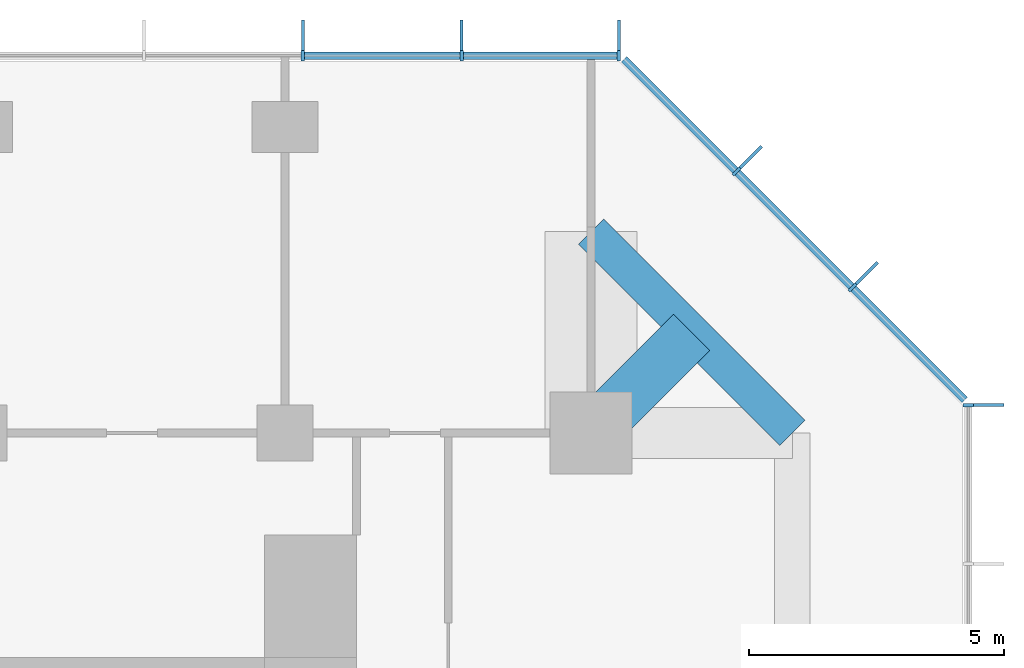
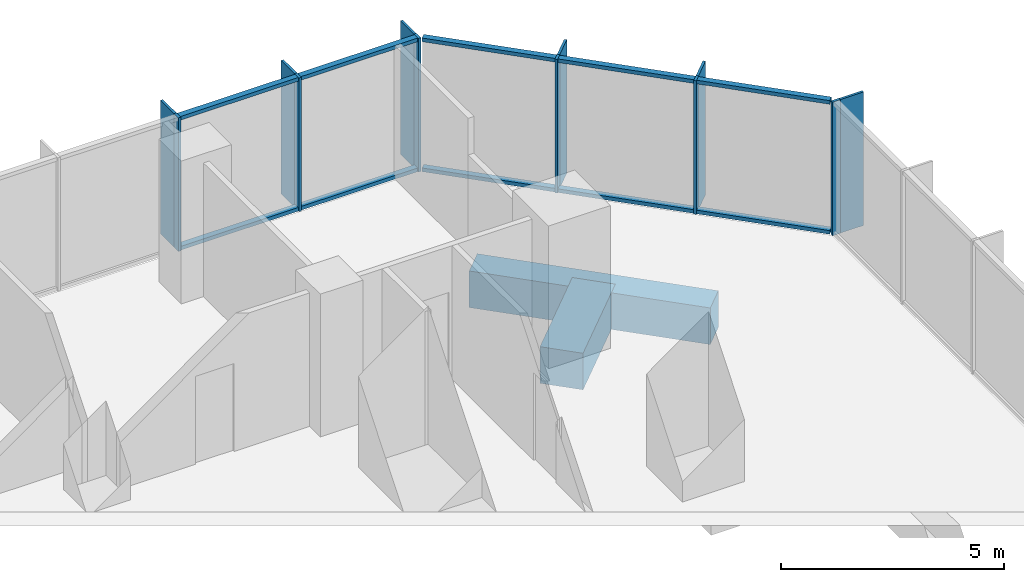
# One storey, part 6 of 10: 22 members, 2 beams, 3 elements without a shape of their own.
"""IFC4 building model written with IfcOpenShell, lengths in metres."""

from ifc_helpers import new_model, si_unit, direction, frame, origin, origin_2d, place, context, subcontext, project, spatial, rectangle, extrude, material, layer, layer_set, material_profile, profile_set, type_object, element, aggregate, save


model = new_model("IFC4")

# Units and contexts
model_context = context("Model", 3, precision=1e-05, world=origin(), true_north=direction((0.0, 1.0)))
body_context = subcontext(model_context, "Body", "Model", "MODEL_VIEW")
ifc_project = project(units=[si_unit("LENGTHUNIT", "METRE"), si_unit("AREAUNIT", "SQUARE_METRE"), si_unit("VOLUMEUNIT", "CUBIC_METRE"), si_unit("PLANEANGLEUNIT", "RADIAN"), si_unit("MASSUNIT", "GRAM", prefix="KILO")], contexts=[model_context])

# Site, building, storey
site_placement = place(None, origin())
site = spatial("IfcSite", under=ifc_project, at=site_placement, CompositionType="ELEMENT")
building_placement = place(site_placement, origin())
building = spatial("IfcBuilding", under=site, at=building_placement, Name="Highveld Stack Headquarters", CompositionType="ELEMENT")
storey_placement = place(building_placement, frame((0.0, 0.0, 245.0)))
storey = spatial("IfcBuildingStorey", under=building, at=storey_placement, Name="L60", CompositionType="ELEMENT", Elevation=245.0)

# Beam
ifc_material_1 = material(Name="Concrete C60/75", Category="concrete")
ifc_material_profile_1 = material_profile(ifc_material_1, rectangle(XDim=1.0, YDim=1.0, at=origin_2d()), Name="RC 1000x1000")
ifc_profile_set_1 = profile_set([ifc_material_profile_1], Name="Concrete C60/75")
beam_type_1 = type_object("IfcBeamType", Name="CANTILEVER RIB RC 1000x1000", PredefinedType="USERDEFINED", material=ifc_profile_set_1)
beam_1_placement = place(storey_placement, frame((24.0, 18.0, -0.75), z_axis=(0.707106781187, 0.707106781187, 0.0), x_axis=(-0.707106781187, 0.707106781187, 0.0)))
element("IfcBeam", 1, at=beam_1_placement, inside=storey, type_object=beam_type_1, Name="Cantilever rib 10/H L60", ObjectType="CANTILEVER RIB", PredefinedType="USERDEFINED", context=body_context, shape_type="SweptSolid", body=[
    extrude(rectangle(XDim=1.0, YDim=1.0, at=origin_2d()), origin(), (0.0, 0.0, 1.0), 2.793212890625),
])

# Curtain wall, member
ifc_material_2 = material(Name="Aluminium bronze anodised", Category="aluminium")
ifc_layer = layer(ifc_material_2, 0.199951171875)
ifc_layer_set = layer_set([ifc_layer], Name="Aluminium bronze anodised")
curtain_wall_type = type_object("IfcCurtainWallType", Name="CW6 SKY LOBBY UNITISED CURTAIN WALL", PredefinedType="NOTDEFINED", material=ifc_layer_set)
curtain_wall_1_placement = place(storey_placement, origin())
curtain_wall_1 = element("IfcCurtainWall", 2, at=curtain_wall_1_placement, inside=storey, type_object=curtain_wall_type, Name="Curtain wall CW6 L60 E", PredefinedType="NOTDEFINED")
ifc_material_3 = material(Name="Aluminium bronze anodised", Category="aluminium")
ifc_material_profile_2 = material_profile(ifc_material_3, rectangle(XDim=0.60009765625, YDim=0.06005859375, at=origin_2d()), Name="FIN 600x60")
ifc_profile_set_2 = profile_set([ifc_material_profile_2], Name="Aluminium bronze anodised")
member_type_1 = type_object("IfcMemberType", Name="CW6 BRONZE FIN 600x60", PredefinedType="USERDEFINED", material=ifc_profile_set_2)
member_1_placement = place(storey_placement, frame((31.800048828125, 18.54736328125, 0.0), z_axis=(0.0, 0.0, 1.0), x_axis=(-1.0, 0.0, 0.0)))
member_1 = element("IfcMember", 3, at=member_1_placement, type_object=member_type_1, Name="CW6 fin L60 9", ObjectType="FIN", PredefinedType="USERDEFINED", context=body_context, shape_type="SweptSolid", body=[
    extrude(rectangle(XDim=0.60009765625, YDim=0.06005859375, at=origin_2d()), origin(), (0.0, 0.0, 1.0), 3.64990234375),
])

# Curtain wall, members
curtain_wall_2_placement = place(storey_placement, origin())
curtain_wall_2 = element("IfcCurtainWall", 4, at=curtain_wall_2_placement, inside=storey, type_object=curtain_wall_type, Name="Curtain wall CW6 L60 NE", PredefinedType="NOTDEFINED")
member_2_placement = place(storey_placement, frame((29.409423828125, 21.135986328125, 0.0), z_axis=(0.0, 0.0, 1.0), x_axis=(-0.707106781187, -0.707106781187, 0.0)))
member_2 = element("IfcMember", 5, at=member_2_placement, type_object=member_type_1, Name="CW6 fin L60 1", ObjectType="FIN", PredefinedType="USERDEFINED", context=body_context, shape_type="SweptSolid", body=[
    extrude(rectangle(XDim=0.60009765625, YDim=0.06005859375, at=origin_2d()), origin(), (0.0, 0.0, 1.0), 3.64990234375),
])
member_3_placement = place(storey_placement, frame((27.135986328125, 23.409423828125, 0.0), z_axis=(0.0, 0.0, 1.0), x_axis=(-0.707106781187, -0.707106781187, 0.0)))
member_3 = element("IfcMember", 6, at=member_3_placement, type_object=member_type_1, Name="CW6 fin L60 2", ObjectType="FIN", PredefinedType="USERDEFINED", context=body_context, shape_type="SweptSolid", body=[
    extrude(rectangle(XDim=0.60009765625, YDim=0.06005859375, at=origin_2d()), origin(), (0.0, 0.0, 1.0), 3.64990234375),
])

curtain_wall_3_placement = place(storey_placement, origin())
curtain_wall_3 = element("IfcCurtainWall", 7, at=curtain_wall_3_placement, inside=storey, type_object=curtain_wall_type, Name="Curtain wall CW6 L60 N", PredefinedType="NOTDEFINED")
member_4_placement = place(storey_placement, frame((24.54736328125, 25.800048828125, 0.0), z_axis=(0.0, 0.0, 1.0), x_axis=(0.0, -1.0, 0.0)))
member_4 = element("IfcMember", 8, at=member_4_placement, type_object=member_type_1, Name="CW6 fin L60 1", ObjectType="FIN", PredefinedType="USERDEFINED", context=body_context, shape_type="SweptSolid", body=[
    extrude(rectangle(XDim=0.60009765625, YDim=0.06005859375, at=origin_2d()), origin(), (0.0, 0.0, 1.0), 3.64990234375),
])
member_5_placement = place(storey_placement, frame((21.4638671875, 25.800048828125, 0.0), z_axis=(0.0, 0.0, 1.0), x_axis=(0.0, -1.0, 0.0)))
member_5 = element("IfcMember", 9, at=member_5_placement, type_object=member_type_1, Name="CW6 fin L60 2", ObjectType="FIN", PredefinedType="USERDEFINED", context=body_context, shape_type="SweptSolid", body=[
    extrude(rectangle(XDim=0.60009765625, YDim=0.06005859375, at=origin_2d()), origin(), (0.0, 0.0, 1.0), 3.64990234375),
])
member_6_placement = place(storey_placement, frame((18.347900390625, 25.800048828125, 0.0), z_axis=(0.0, 0.0, 1.0), x_axis=(0.0, -1.0, 0.0)))
member_6 = element("IfcMember", 10, at=member_6_placement, type_object=member_type_1, Name="CW6 fin L60 3", ObjectType="FIN", PredefinedType="USERDEFINED", context=body_context, shape_type="SweptSolid", body=[
    extrude(rectangle(XDim=0.60009765625, YDim=0.06005859375, at=origin_2d()), origin(), (0.0, 0.0, 1.0), 3.64990234375),
])

# Member
ifc_material_4 = material(Name="Aluminium bronze anodised", Category="aluminium")
ifc_material_profile_3 = material_profile(ifc_material_4, rectangle(XDim=0.199951171875, YDim=0.06494140625, at=origin_2d()), Name="CW6 MULLION 65x200")
ifc_profile_set_3 = profile_set([ifc_material_profile_3], Name="Aluminium bronze anodised")
member_type_2 = type_object("IfcMemberType", Name="CW6 MULLION 65x200", PredefinedType="MULLION", material=ifc_profile_set_3)
member_7_placement = place(storey_placement, frame((31.39990234375, 18.54736328125, 0.0), z_axis=(0.0, 0.0, 1.0), x_axis=(-1.0, 0.0, 0.0)))
member_7 = element("IfcMember", 11, at=member_7_placement, type_object=member_type_2, Name="CW6 mullion L60 9", PredefinedType="MULLION", context=body_context, shape_type="SweptSolid", body=[
    extrude(rectangle(XDim=0.199951171875, YDim=0.06494140625, at=origin_2d()), origin(), (0.0, 0.0, 1.0), 3.64990234375),
])

aggregate(curtain_wall_1, [member_7, member_1])

member_8_placement = place(storey_placement, frame((29.126708984375, 20.853271484375, 0.0), z_axis=(0.0, 0.0, 1.0), x_axis=(-0.707106781187, -0.707106781187, 0.0)))
member_8 = element("IfcMember", 12, at=member_8_placement, type_object=member_type_2, Name="CW6 mullion L60 1", PredefinedType="MULLION", context=body_context, shape_type="SweptSolid", body=[
    extrude(rectangle(XDim=0.199951171875, YDim=0.06494140625, at=origin_2d()), origin(), (0.0, 0.0, 1.0), 3.64990234375),
])

member_9_placement = place(storey_placement, frame((26.853271484375, 23.126708984375, 0.0), z_axis=(0.0, 0.0, 1.0), x_axis=(-0.707106781187, -0.707106781187, 0.0)))
member_9 = element("IfcMember", 13, at=member_9_placement, type_object=member_type_2, Name="CW6 mullion L60 2", PredefinedType="MULLION", context=body_context, shape_type="SweptSolid", body=[
    extrude(rectangle(XDim=0.199951171875, YDim=0.06494140625, at=origin_2d()), origin(), (0.0, 0.0, 1.0), 3.64990234375),
])

member_10_placement = place(storey_placement, frame((24.54736328125, 25.39990234375, 0.0), z_axis=(0.0, 0.0, 1.0), x_axis=(0.0, -1.0, 0.0)))
member_10 = element("IfcMember", 14, at=member_10_placement, type_object=member_type_2, Name="CW6 mullion L60 1", PredefinedType="MULLION", context=body_context, shape_type="SweptSolid", body=[
    extrude(rectangle(XDim=0.199951171875, YDim=0.06494140625, at=origin_2d()), origin(), (0.0, 0.0, 1.0), 3.64990234375),
])

member_11_placement = place(storey_placement, frame((21.4638671875, 25.39990234375, 0.0), z_axis=(0.0, 0.0, 1.0), x_axis=(0.0, -1.0, 0.0)))
member_11 = element("IfcMember", 15, at=member_11_placement, type_object=member_type_2, Name="CW6 mullion L60 2", PredefinedType="MULLION", context=body_context, shape_type="SweptSolid", body=[
    extrude(rectangle(XDim=0.199951171875, YDim=0.06494140625, at=origin_2d()), origin(), (0.0, 0.0, 1.0), 3.64990234375),
])

member_12_placement = place(storey_placement, frame((18.347900390625, 25.39990234375, 0.0), z_axis=(0.0, 0.0, 1.0), x_axis=(0.0, -1.0, 0.0)))
member_12 = element("IfcMember", 16, at=member_12_placement, type_object=member_type_2, Name="CW6 mullion L60 3", PredefinedType="MULLION", context=body_context, shape_type="SweptSolid", body=[
    extrude(rectangle(XDim=0.199951171875, YDim=0.06494140625, at=origin_2d()), origin(), (0.0, 0.0, 1.0), 3.64990234375),
])

ifc_material_5 = material(Name="Aluminium bronze anodised", Category="aluminium")
ifc_material_profile_4 = material_profile(ifc_material_5, rectangle(XDim=0.14990234375, YDim=0.10009765625, at=origin_2d()), Name="CW6 TRANSOM 150x100")
ifc_profile_set_4 = profile_set([ifc_material_profile_4], Name="Aluminium bronze anodised")
member_type_3 = type_object("IfcMemberType", Name="CW6 STACK TRANSOM 150x100", PredefinedType="USERDEFINED", material=ifc_profile_set_4)
member_13_placement = place(storey_placement, frame((31.329345703125, 18.650634765625, 0.050048828125), z_axis=(-0.707106781187, 0.707106781187, 0.0), x_axis=(-0.707106781187, -0.707106781187, 0.0)))
member_13 = element("IfcMember", 17, at=member_13_placement, type_object=member_type_3, Name="CW6 transom L60 1.1", ObjectType="TRANSOM", PredefinedType="USERDEFINED", context=body_context, shape_type="SweptSolid", body=[
    extrude(rectangle(XDim=0.14990234375, YDim=0.10009765625, at=origin_2d()), origin(), (0.0, 0.0, 1.0), 3.08251953125),
])

member_14_placement = place(storey_placement, frame((31.329345703125, 18.650634765625, 3.60009765625), z_axis=(-0.707106781187, 0.707106781187, 0.0), x_axis=(-0.707106781187, -0.707106781187, 0.0)))
member_14 = element("IfcMember", 18, at=member_14_placement, type_object=member_type_3, Name="CW6 transom L60 1.2", ObjectType="TRANSOM", PredefinedType="USERDEFINED", context=body_context, shape_type="SweptSolid", body=[
    extrude(rectangle(XDim=0.14990234375, YDim=0.10009765625, at=origin_2d()), origin(), (0.0, 0.0, 1.0), 3.08251953125),
])

member_15_placement = place(storey_placement, frame((29.103759765625, 20.876220703125, 0.050048828125), z_axis=(-0.707106781187, 0.707106781187, 0.0), x_axis=(-0.707106781187, -0.707106781187, 0.0)))
member_15 = element("IfcMember", 19, at=member_15_placement, type_object=member_type_3, Name="CW6 transom L60 2.1", ObjectType="TRANSOM", PredefinedType="USERDEFINED", context=body_context, shape_type="SweptSolid", body=[
    extrude(rectangle(XDim=0.14990234375, YDim=0.10009765625, at=origin_2d()), origin(), (0.0, 0.0, 1.0), 3.150146484375),
])

member_16_placement = place(storey_placement, frame((29.103759765625, 20.876220703125, 3.60009765625), z_axis=(-0.707106781187, 0.707106781187, 0.0), x_axis=(-0.707106781187, -0.707106781187, 0.0)))
member_16 = element("IfcMember", 20, at=member_16_placement, type_object=member_type_3, Name="CW6 transom L60 2.2", ObjectType="TRANSOM", PredefinedType="USERDEFINED", context=body_context, shape_type="SweptSolid", body=[
    extrude(rectangle(XDim=0.14990234375, YDim=0.10009765625, at=origin_2d()), origin(), (0.0, 0.0, 1.0), 3.150146484375),
])

member_17_placement = place(storey_placement, frame((26.830322265625, 23.149658203125, 0.050048828125), z_axis=(-0.707106781187, 0.707106781187, 0.0), x_axis=(-0.707106781187, -0.707106781187, 0.0)))
member_17 = element("IfcMember", 21, at=member_17_placement, type_object=member_type_3, Name="CW6 transom L60 3.1", ObjectType="TRANSOM", PredefinedType="USERDEFINED", context=body_context, shape_type="SweptSolid", body=[
    extrude(rectangle(XDim=0.14990234375, YDim=0.10009765625, at=origin_2d()), origin(), (0.0, 0.0, 1.0), 3.08251953125),
])

member_18_placement = place(storey_placement, frame((26.830322265625, 23.149658203125, 3.60009765625), z_axis=(-0.707106781187, 0.707106781187, 0.0), x_axis=(-0.707106781187, -0.707106781187, 0.0)))
member_18 = element("IfcMember", 22, at=member_18_placement, type_object=member_type_3, Name="CW6 transom L60 3.2", ObjectType="TRANSOM", PredefinedType="USERDEFINED", context=body_context, shape_type="SweptSolid", body=[
    extrude(rectangle(XDim=0.14990234375, YDim=0.10009765625, at=origin_2d()), origin(), (0.0, 0.0, 1.0), 3.08251953125),
])

aggregate(curtain_wall_2, [member_8, member_2, member_9, member_3, member_13, member_14, member_15, member_16, member_17, member_18])

member_19_placement = place(storey_placement, frame((24.514892578125, 25.39990234375, 0.050048828125), z_axis=(-1.0, 0.0, 0.0), x_axis=(0.0, -1.0, 0.0)))
member_19 = element("IfcMember", 23, at=member_19_placement, type_object=member_type_3, Name="CW6 transom L60 1.1", ObjectType="TRANSOM", PredefinedType="USERDEFINED", context=body_context, shape_type="SweptSolid", body=[
    extrude(rectangle(XDim=0.14990234375, YDim=0.10009765625, at=origin_2d()), origin(), (0.0, 0.0, 1.0), 3.0185546875),
])

member_20_placement = place(storey_placement, frame((24.514892578125, 25.39990234375, 3.60009765625), z_axis=(-1.0, 0.0, 0.0), x_axis=(0.0, -1.0, 0.0)))
member_20 = element("IfcMember", 24, at=member_20_placement, type_object=member_type_3, Name="CW6 transom L60 1.2", ObjectType="TRANSOM", PredefinedType="USERDEFINED", context=body_context, shape_type="SweptSolid", body=[
    extrude(rectangle(XDim=0.14990234375, YDim=0.10009765625, at=origin_2d()), origin(), (0.0, 0.0, 1.0), 3.0185546875),
])

member_21_placement = place(storey_placement, frame((21.431396484375, 25.39990234375, 0.050048828125), z_axis=(-1.0, 0.0, 0.0), x_axis=(0.0, -1.0, 0.0)))
member_21 = element("IfcMember", 25, at=member_21_placement, type_object=member_type_3, Name="CW6 transom L60 2.1", ObjectType="TRANSOM", PredefinedType="USERDEFINED", context=body_context, shape_type="SweptSolid", body=[
    extrude(rectangle(XDim=0.14990234375, YDim=0.10009765625, at=origin_2d()), origin(), (0.0, 0.0, 1.0), 3.051025390625),
])

member_22_placement = place(storey_placement, frame((21.431396484375, 25.39990234375, 3.60009765625), z_axis=(-1.0, 0.0, 0.0), x_axis=(0.0, -1.0, 0.0)))
member_22 = element("IfcMember", 26, at=member_22_placement, type_object=member_type_3, Name="CW6 transom L60 2.2", ObjectType="TRANSOM", PredefinedType="USERDEFINED", context=body_context, shape_type="SweptSolid", body=[
    extrude(rectangle(XDim=0.14990234375, YDim=0.10009765625, at=origin_2d()), origin(), (0.0, 0.0, 1.0), 3.051025390625),
])

aggregate(curtain_wall_3, [member_10, member_4, member_11, member_5, member_12, member_6, member_19, member_20, member_21, member_22])

# Beam
ifc_material_6 = material(Name="Concrete C60/75", Category="concrete")
ifc_material_profile_5 = material_profile(ifc_material_6, rectangle(XDim=0.699951171875, YDim=1.0, at=origin_2d()), Name="RC 700x1000")
ifc_profile_set_5 = profile_set([ifc_material_profile_5], Name="Concrete C60/75")
beam_type_2 = type_object("IfcBeamType", Name="RIB TIP BEAM RC 700x1000", PredefinedType="SPANDREL", material=ifc_profile_set_5)
beam_2_placement = place(storey_placement, frame((27.949951171875, 18.0, -0.75), z_axis=(-0.707106781187, 0.707106781187, 0.0), x_axis=(-0.707106781187, -0.707106781187, 0.0)))
element("IfcBeam", 27, at=beam_2_placement, inside=storey, type_object=beam_type_2, Name="Rib tip beam 10/H corner L60", PredefinedType="SPANDREL", context=body_context, shape_type="SweptSolid", body=[
    extrude(rectangle(XDim=0.699951171875, YDim=1.0, at=origin_2d()), origin(), (0.0, 0.0, 1.0), 5.586181640625),
])

save(model, "model.ifc")
